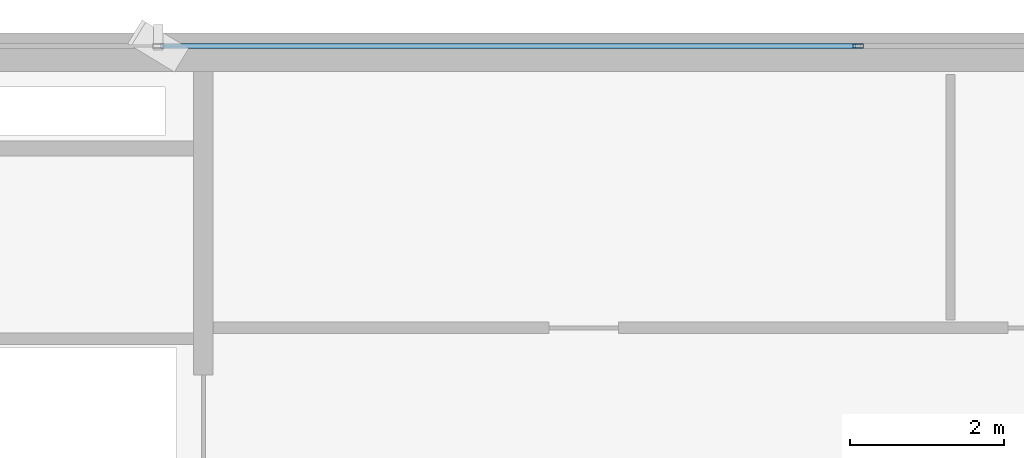
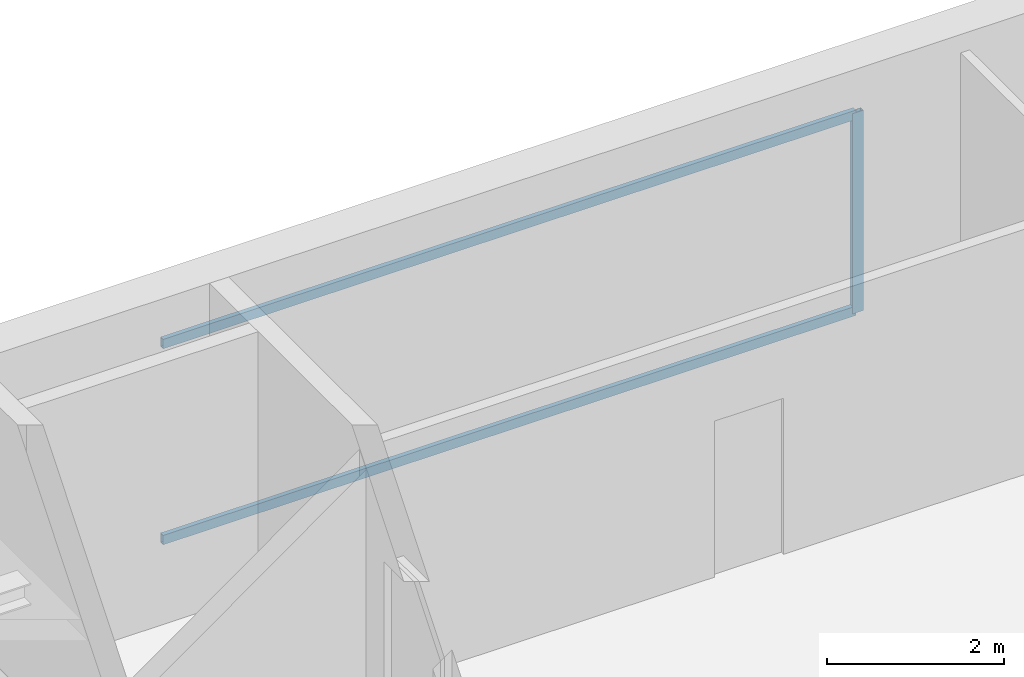
# One storey, part 21 of 31: 3 members, 1 element without a shape of its own.
"""IFC4 building model written with IfcOpenShell, lengths in metres."""

from ifc_helpers import new_model, si_unit, direction, frame, origin, origin_2d, place, context, subcontext, project, spatial, hollow_rectangle, extrude, source, transform, mapped, material, layer, layer_set, material_profile, profile_set, type_object, element, aggregate, save


model = new_model("IFC4")

# Units and contexts
model_context = context("Model", 3, precision=1e-05, world=origin(), true_north=direction((0.0, 1.0)))
body_context = subcontext(model_context, "Body", "Model", "MODEL_VIEW")
ifc_project = project(units=[si_unit("LENGTHUNIT", "METRE"), si_unit("AREAUNIT", "SQUARE_METRE"), si_unit("VOLUMEUNIT", "CUBIC_METRE"), si_unit("PLANEANGLEUNIT", "RADIAN"), si_unit("MASSUNIT", "GRAM", prefix="KILO")], contexts=[model_context])

# Site, building, storey
site_placement = place(None, origin())
site = spatial("IfcSite", under=ifc_project, at=site_placement, CompositionType="ELEMENT")
building_placement = place(site_placement, origin())
building = spatial("IfcBuilding", under=site, at=building_placement, Name="Sumidabori Civic Tower", CompositionType="ELEMENT")
storey_placement = place(building_placement, frame((0.0, 0.0, 221.60009765625)))
storey = spatial("IfcBuildingStorey", under=building, at=storey_placement, Name="L57", CompositionType="ELEMENT", Elevation=221.60009765625)

# Curtain wall, members
ifc_material = material(Name="Anodised Bronze Aluminium AW-6063-T6", Category="aluminium")
ifc_layer = layer(ifc_material, 0.179931640625, Name="Anodised Bronze Aluminium AW-6063-T6")
ifc_layer_set = layer_set([ifc_layer], Name="Anodised Bronze Aluminium AW-6063-T6")
curtain_wall_type = type_object("IfcCurtainWallType", Name="CW-SYS-5", PredefinedType="NOTDEFINED", material=ifc_layer_set)
curtain_wall_placement = place(storey_placement, origin())
curtain_wall = element("IfcCurtainWall", 1, at=curtain_wall_placement, inside=storey, type_object=curtain_wall_type, Name="Curtain Wall CW:L57:R19", PredefinedType="NOTDEFINED")
ifc_material_profile_1 = material_profile(ifc_material, hollow_rectangle(XDim=0.06005859375, YDim=0.139892578125, WallThickness=0.0048828125, at=origin_2d()), Name="ALU MULLION 140x60")
ifc_profile_set_1 = profile_set([ifc_material_profile_1], Name="Anodised Bronze Aluminium AW-6063-T6")
member_type_1 = type_object("IfcMemberType", Name="CW-MUL-140", PredefinedType="MULLION", material=ifc_profile_set_1)
shared_shape_1 = source(origin(), body_context, "Body", "SweptSolid", [
    extrude(hollow_rectangle(XDim=0.06005859375, YDim=0.139892578125, WallThickness=0.0048828125, at=origin_2d()), origin(), (0.0, 0.0, 1.0), 2.760009765625),
])
member_1_placement = place(storey_placement, frame((0.0, 23.8798828125, 0.0), z_axis=(0.0, 0.0, 1.0), x_axis=(0.0, -1.0, 0.0)))
member_1 = element("IfcMember", 2, at=member_1_placement, type_object=member_type_1, Name="CW-5 mullion 3", PredefinedType="MULLION", context=body_context, shape_type="MappedRepresentation", body=[
    mapped(shared_shape_1, transform((0.0, 0.0, 0.0), x_axis=(1.0, 0.0, 0.0), y_axis=(0.0, 1.0, 0.0), z_axis=(0.0, 0.0, 1.0), scale=1.0)),
])
ifc_material_profile_2 = material_profile(ifc_material, hollow_rectangle(XDim=0.06005859375, YDim=0.1298828125, WallThickness=0.0048828125, at=origin_2d()), Name="ALU TRANSOM 130x60")
ifc_profile_set_2 = profile_set([ifc_material_profile_2], Name="Anodised Bronze Aluminium AW-6063-T6")
member_type_2 = type_object("IfcMemberType", Name="CW-TRN-130", PredefinedType="USERDEFINED", material=ifc_profile_set_2)
shared_shape_2 = source(origin(), body_context, "Body", "SweptSolid", [
    extrude(hollow_rectangle(XDim=0.06005859375, YDim=0.1298828125, WallThickness=0.0048828125, at=origin_2d()), origin(), (0.0, 0.0, 1.0), 9.02490234375),
])
member_2_placement = place(storey_placement, frame((-0.030029296875, 23.8798828125, 0.02978515625), z_axis=(-1.0, 0.0, 0.0), x_axis=(0.0, -1.0, 0.0)))
member_2 = element("IfcMember", 3, at=member_2_placement, type_object=member_type_2, Name="CW-5 transom 3.1", ObjectType="TRANSOM", PredefinedType="USERDEFINED", context=body_context, shape_type="MappedRepresentation", body=[
    mapped(shared_shape_2, transform((0.0, 0.0, 0.0), x_axis=(1.0, 0.0, 0.0), y_axis=(0.0, 1.0, 0.0), z_axis=(0.0, 0.0, 1.0), scale=1.0)),
])
member_3_placement = place(storey_placement, frame((-0.030029296875, 23.8798828125, 2.72998046875), z_axis=(-1.0, 0.0, 0.0), x_axis=(0.0, -1.0, 0.0)))
member_3 = element("IfcMember", 4, at=member_3_placement, type_object=member_type_2, Name="CW-5 transom 3.2", ObjectType="TRANSOM", PredefinedType="USERDEFINED", context=body_context, shape_type="MappedRepresentation", body=[
    mapped(shared_shape_2, transform((0.0, 0.0, 0.0), x_axis=(1.0, 0.0, 0.0), y_axis=(0.0, 1.0, 0.0), z_axis=(0.0, 0.0, 1.0), scale=1.0)),
])
aggregate(curtain_wall, [member_1, member_2, member_3])

save(model, "model.ifc")
